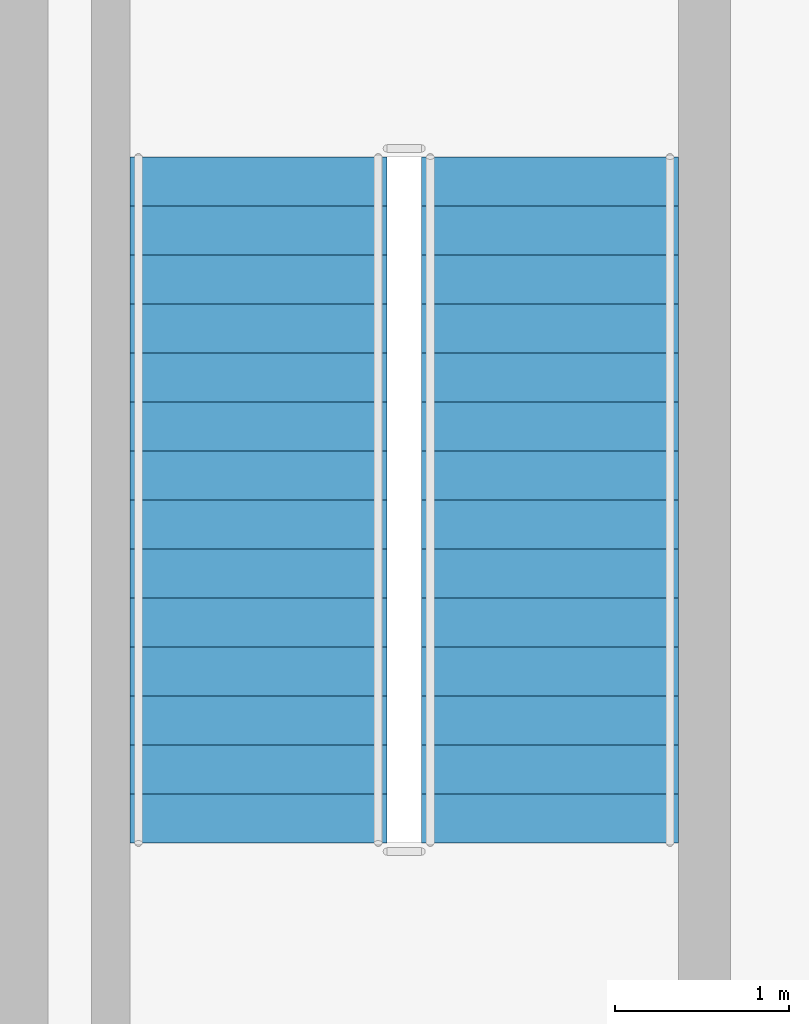
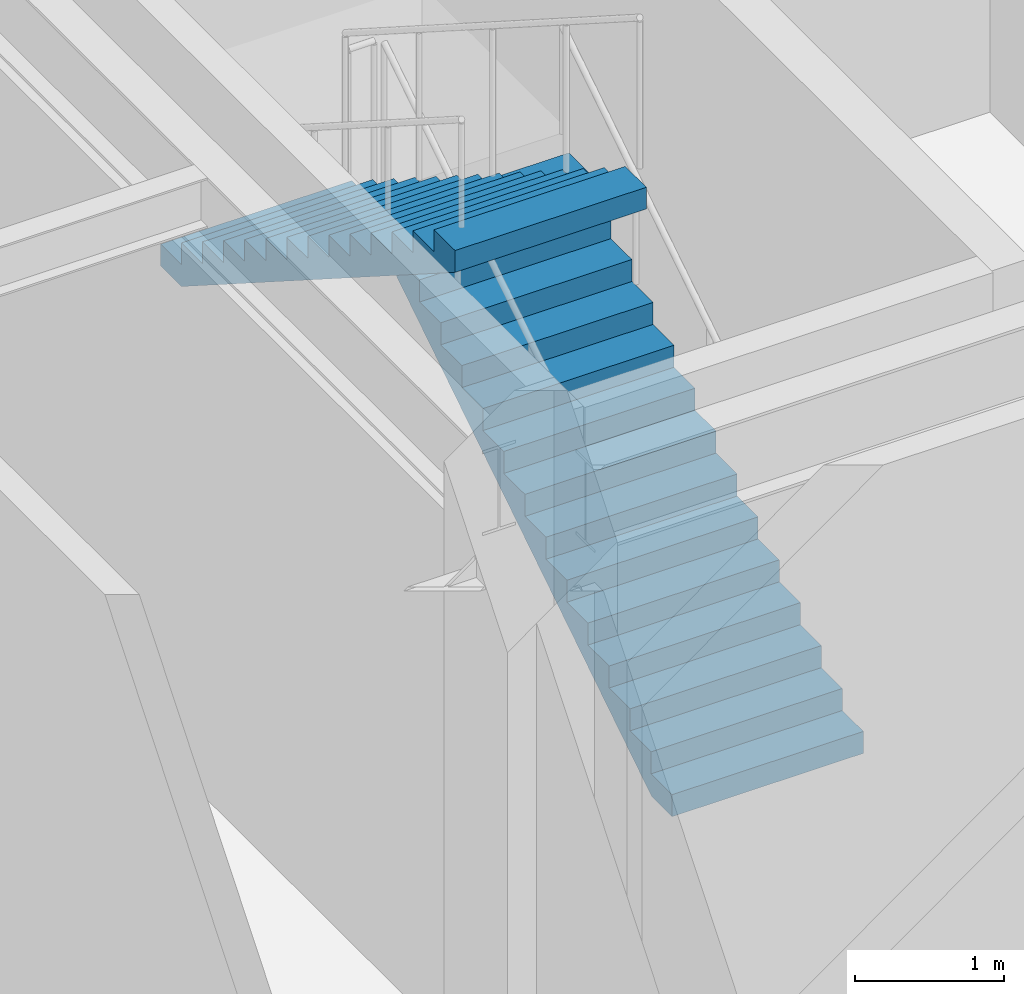
# One storey, part 10 of 14: 2 stair flights, 1 element without a shape of its own.
"""IFC4 building model written with IfcOpenShell, lengths in metres."""

from ifc_helpers import new_model, si_unit, direction, frame, origin, place, context, subcontext, project, spatial, polyline, outline, extrude, material, type_object, element, aggregate, save


model = new_model("IFC4")

# Units and contexts
model_context = context("Model", 3, precision=1e-05, world=origin(), true_north=direction((0.0, 1.0)))
body_context = subcontext(model_context, "Body", "Model", "MODEL_VIEW")
ifc_project = project(units=[si_unit("LENGTHUNIT", "METRE"), si_unit("AREAUNIT", "SQUARE_METRE"), si_unit("VOLUMEUNIT", "CUBIC_METRE"), si_unit("PLANEANGLEUNIT", "RADIAN"), si_unit("MASSUNIT", "GRAM", prefix="KILO")], contexts=[model_context])

# Site, building, storey
site_placement = place(None, origin())
site = spatial("IfcSite", under=ifc_project, at=site_placement, CompositionType="ELEMENT")
building_placement = place(site_placement, origin())
building = spatial("IfcBuilding", under=site, at=building_placement, Name="Ochreholt Gables", CompositionType="ELEMENT")
storey_placement = place(building_placement, frame((0.0, 0.0, 71.39990234375)))
storey = spatial("IfcBuildingStorey", under=building, at=storey_placement, Name="L18", CompositionType="ELEMENT", Elevation=71.39990234375)

# Stair, stair flights
ifc_material = material(Name="Concrete 40 MPa", Category="concrete")
stair_type = type_object("IfcStairType", Name="STAIR-CORE-ST-2", PredefinedType="HALF_TURN_STAIR", material=ifc_material)
stair_placement = place(storey_placement, origin())
stair = element("IfcStair", 1, at=stair_placement, inside=storey, type_object=stair_type, Name="L18 Core Exit Stair 2", PredefinedType="HALF_TURN_STAIR")
stair_flight_type = type_object("IfcStairFlightType", Name="FLIGHT-ST-1480-1800", PredefinedType="STRAIGHT", material=ifc_material)
stair_flight_1_placement = place(storey_placement, frame((27.340087890625, 32.4599609375, 0.0), z_axis=(0.0, 0.0, 1.0), x_axis=(0.0, 1.0, 0.0)))
stair_flight_1 = element("IfcStairFlight", 2, at=stair_flight_1_placement, type_object=stair_flight_type, Name="ST-2 flight 1", NumberOfRisers=15, NumberOfTreads=14, PredefinedType="STRAIGHT", RiserHeight=0.18, TreadLength=0.282, context=body_context, shape_type="SweptSolid", body=[
    extrude(outline(polyline([(0.0, 0.0), (0.0, 0.179931640625), (0.281982421875, 0.179931640625), (0.281982421875, 0.360107421875), (0.56396484375, 0.360107421875), (0.56396484375, 0.5400390625), (0.845947265625, 0.5400390625), (0.845947265625, 0.719970703125), (1.1279296875, 0.719970703125), (1.1279296875, 0.89990234375), (1.409912109375, 0.89990234375), (1.409912109375, 1.080078125), (1.69189453125, 1.080078125), (1.69189453125, 1.260009765625), (1.97412109375, 1.260009765625), (1.97412109375, 1.43994140625), (2.256103515625, 1.43994140625), (2.256103515625, 1.6201171875), (2.5380859375, 1.6201171875), (2.5380859375, 1.800048828125), (2.820068359375, 1.800048828125), (2.820068359375, 1.97998046875), (3.10205078125, 1.97998046875), (3.10205078125, 2.159912109375), (3.384033203125, 2.159912109375), (3.384033203125, 2.340087890625), (3.666015625, 2.340087890625), (3.666015625, 2.52001953125), (3.947998046875, 2.52001953125), (3.947998046875, 2.699951171875), (3.947998046875, 2.34228515625), (0.278564453125, 0.0), (0.0, 0.0)])), frame((0.0, 0.739990234375, 0.0), z_axis=(0.0, -1.0, 0.0), x_axis=(1.0, 0.0, 0.0)), (0.0, 0.0, 1.0), 1.47998046875),
])
stair_flight_2_placement = place(storey_placement, frame((25.659912109375, 36.407958984375, 2.7001953125), z_axis=(0.0, 0.0, 1.0), x_axis=(0.0, -1.0, 0.0)))
stair_flight_2 = element("IfcStairFlight", 3, at=stair_flight_2_placement, type_object=stair_flight_type, Name="ST-2 flight 2", NumberOfRisers=15, NumberOfTreads=14, PredefinedType="STRAIGHT", RiserHeight=0.18, TreadLength=0.282, context=body_context, shape_type="SweptSolid", body=[
    extrude(outline(polyline([(0.0, 0.0), (0.0, 0.179931640625), (0.281982421875, 0.179931640625), (0.281982421875, 0.360107421875), (0.56396484375, 0.360107421875), (0.56396484375, 0.5400390625), (0.845947265625, 0.5400390625), (0.845947265625, 0.719970703125), (1.1279296875, 0.719970703125), (1.1279296875, 0.89990234375), (1.409912109375, 0.89990234375), (1.409912109375, 1.080078125), (1.69189453125, 1.080078125), (1.69189453125, 1.260009765625), (1.97412109375, 1.260009765625), (1.97412109375, 1.43994140625), (2.256103515625, 1.43994140625), (2.256103515625, 1.6201171875), (2.5380859375, 1.6201171875), (2.5380859375, 1.800048828125), (2.820068359375, 1.800048828125), (2.820068359375, 1.97998046875), (3.10205078125, 1.97998046875), (3.10205078125, 2.159912109375), (3.384033203125, 2.159912109375), (3.384033203125, 2.340087890625), (3.666015625, 2.340087890625), (3.666015625, 2.52001953125), (3.947998046875, 2.52001953125), (3.947998046875, 2.699951171875), (3.947998046875, 2.34228515625), (0.278564453125, 0.0), (0.0, 0.0)])), frame((0.0, 0.739990234375, 0.0), z_axis=(0.0, -1.0, 0.0), x_axis=(1.0, 0.0, 0.0)), (0.0, 0.0, 1.0), 1.47998046875),
])
aggregate(stair, [stair_flight_1, stair_flight_2])

save(model, "model.ifc")
